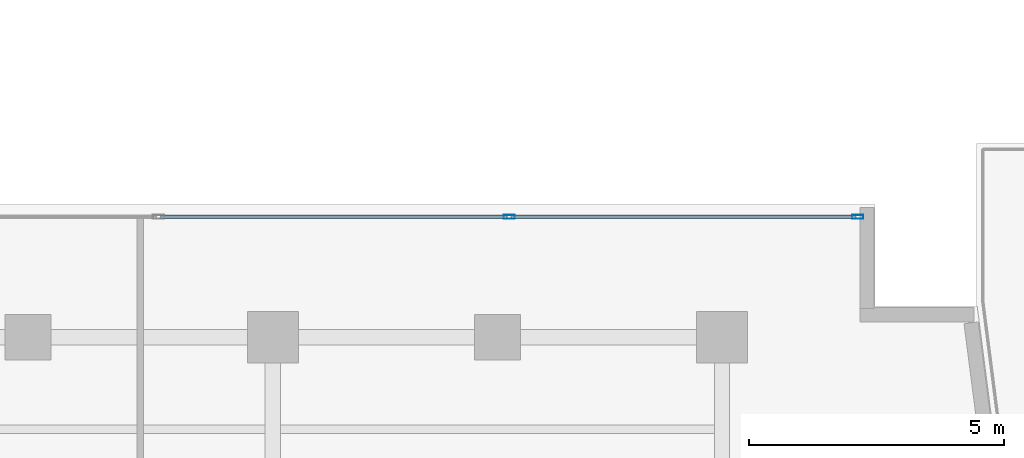
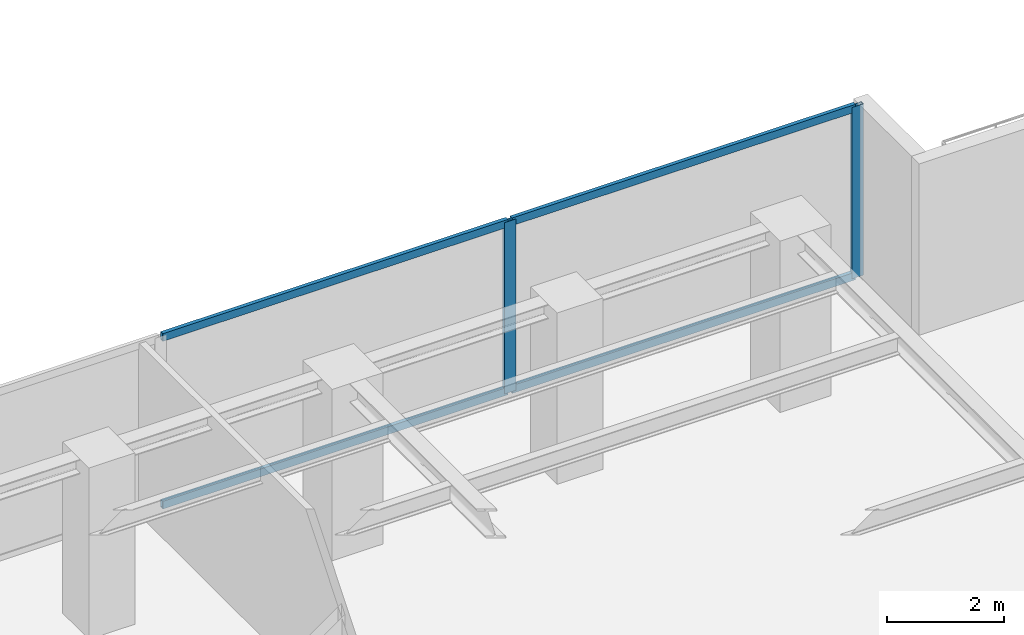
# One storey, part 12 of 25: 6 members, 1 element without a shape of its own.
"""IFC4 building model written with IfcOpenShell, lengths in metres."""

import ifcopenshell
import ifcopenshell.guid

model = None  # the IFC model being written
_history = None  # IfcOwnerHistory: only IFC2X3 demands one
_inside = {}  # id of a spatial element -> (the spatial element, [elements in it])
_under = {}  # id of a project, library or spatial element -> (it, [spatial elements below it])
_declared = {}  # id of a project -> (the project, [libraries it declares])
_typed = {}  # id of a type object -> (the type object, [elements of that type])
_made_of = {}  # id of a material, layer set ... -> (it, [elements and type objects made of it])


def new_model(schema):
    """Start an empty IFC model of exactly this schema.

    Asked for "IFC4X3", IfcOpenShell would pick the latest addendum, in which some entities
    have other attributes; the version numbers below select the first issue.
    IFC2X3 requires an IfcOwnerHistory on every rooted entity: one is made here for all.
    """
    global model, _history
    if schema == "IFC4X3":
        model = ifcopenshell.file(schema_version=(4, 3, 0, 0))
    else:
        model = ifcopenshell.file(schema=schema)
    _inside.clear()
    _under.clear()
    _declared.clear()
    _typed.clear()
    _made_of.clear()
    _history = None
    if model.schema == "IFC2X3":
        org = make("IfcOrganization", Name="unknown")
        user = make(
            "IfcPersonAndOrganization",
            ThePerson=make("IfcPerson", FamilyName="unknown"),
            TheOrganization=org,
        )
        app = make(
            "IfcApplication",
            ApplicationDeveloper=org,
            Version="unknown",
            ApplicationFullName="unknown",
            ApplicationIdentifier="unknown",
        )
        _history = make(
            "IfcOwnerHistory",
            OwningUser=user,
            OwningApplication=app,
            ChangeAction="ADDED",
            CreationDate=0,
        )
    return model


def make(cls, **values):
    """One entity of the class cls with the attributes given. An attribute that is None is left unset."""
    return model.create_entity(
        cls, **{name: value for name, value in values.items() if value is not None}
    )


def rooted(cls, **values):
    """An entity with a GlobalId (a new one), such as an element, a storey or a relation."""
    return make(cls, GlobalId=ifcopenshell.guid.new(), OwnerHistory=_history, **values)


def si_unit(unit_type, name, prefix=None):
    """IfcSIUnit, for example si_unit("LENGTHUNIT", "METRE", prefix="MILLI")."""
    return make("IfcSIUnit", UnitType=unit_type, Prefix=prefix, Name=name)


def assignment(units):
    """IfcUnitAssignment: the units of a project."""
    return None if units is None else make("IfcUnitAssignment", Units=units)


def point(xyz):
    """IfcCartesianPoint."""
    return None if xyz is None else make("IfcCartesianPoint", Coordinates=xyz)


def direction(xyz):
    """IfcDirection."""
    return None if xyz is None else make("IfcDirection", DirectionRatios=xyz)


def frame(location, z_axis=None, x_axis=None):
    """IfcAxis2Placement3D, a coordinate frame: its origin and axes. An axis left out is left unset."""
    return make(
        "IfcAxis2Placement3D",
        Location=point(location),
        Axis=direction(z_axis),
        RefDirection=direction(x_axis),
    )


def frame_2d(location, x_axis=None):
    """IfcAxis2Placement2D, a coordinate frame in the plane: its origin and x axis."""
    return make(
        "IfcAxis2Placement2D", Location=point(location), RefDirection=direction(x_axis)
    )


def origin():
    """The frame at (0, 0, 0) with its axes left unset."""
    return frame((0.0, 0.0, 0.0))


def origin_with_axes():
    """The frame at (0, 0, 0) with the z axis (0, 0, 1) and the x axis (1, 0, 0) written out."""
    return frame((0.0, 0.0, 0.0), z_axis=(0.0, 0.0, 1.0), x_axis=(1.0, 0.0, 0.0))


def origin_2d():
    """The frame at (0, 0) in the plane with its x axis left unset."""
    return frame_2d((0.0, 0.0))


def place(relative_to, where):
    """IfcLocalPlacement: puts the frame where relative to a parent placement (None: the world)."""
    return make(
        "IfcLocalPlacement", PlacementRelTo=relative_to, RelativePlacement=where
    )


def context(
    kind, dimensions, precision=None, world=None, true_north=None, identifier=None
):
    """IfcGeometricRepresentationContext, for example the 3D "Model" context."""
    return make(
        "IfcGeometricRepresentationContext",
        ContextIdentifier=identifier,
        ContextType=kind,
        CoordinateSpaceDimension=dimensions,
        Precision=precision,
        WorldCoordinateSystem=world,
        TrueNorth=true_north,
    )


def subcontext(parent, identifier, kind, view, scale=None):
    """IfcGeometricRepresentationSubContext, for example "Body" below "Model"."""
    return make(
        "IfcGeometricRepresentationSubContext",
        ContextIdentifier=identifier,
        ContextType=kind,
        ParentContext=parent,
        TargetScale=scale,
        TargetView=view,
    )


def project(units=None, contexts=None):
    """IfcProject with its units and contexts."""
    return rooted(
        "IfcProject",
        Name="project",
        RepresentationContexts=contexts,
        UnitsInContext=assignment(units),
    )


def spatial(cls, under=None, at=None, **own):
    """A site, building, storey or space (cls), placed at a placement, below another one or the project."""
    s = rooted(cls, ObjectPlacement=at, **own)
    if under is not None:
        _under.setdefault(under.id(), (under, []))[1].append(s)
    return s


def profile(cls, at=None, kind="AREA", **sizes):
    """A parametric profile (cls). Its sizes go by their IFC names, for example OverallWidth=200.0."""
    return make(cls, ProfileType=kind, Position=at, **sizes)


def hollow_rectangle(**sizes):
    """IfcRectangleHollowProfileDef."""
    return profile("IfcRectangleHollowProfileDef", **sizes)


def extrude(swept, where, along, depth):
    """IfcExtrudedAreaSolid: the profile swept, set in the frame where, extruded along a direction by depth."""
    return make(
        "IfcExtrudedAreaSolid",
        SweptArea=swept,
        Position=where,
        ExtrudedDirection=direction(along),
        Depth=depth,
    )


def shape(context_of_items, identifier, shape_type, items):
    """IfcShapeRepresentation: the items that make up one representation, for example the "Body"."""
    return make(
        "IfcShapeRepresentation",
        ContextOfItems=context_of_items,
        RepresentationIdentifier=identifier,
        RepresentationType=shape_type,
        Items=items,
    )


def source(mapping_origin, context_of_items, identifier, shape_type, items):
    """IfcRepresentationMap: a shape defined once, which mapped items show again and again."""
    return make(
        "IfcRepresentationMap",
        MappingOrigin=mapping_origin,
        MappedRepresentation=shape(context_of_items, identifier, shape_type, items),
    )


def transform(
    local_origin,
    x_axis=None,
    y_axis=None,
    z_axis=None,
    scale=None,
    scale2=None,
    scale3=None,
    uniform=True,
):
    """IfcCartesianTransformationOperator3D, or its non-uniform kind. x_axis, y_axis, z_axis: its Axis1, 2, 3."""
    if uniform:
        return make(
            "IfcCartesianTransformationOperator3D",
            Axis1=direction(x_axis),
            Axis2=direction(y_axis),
            LocalOrigin=point(local_origin),
            Scale=scale,
            Axis3=direction(z_axis),
        )
    return make(
        "IfcCartesianTransformationOperator3DnonUniform",
        Axis1=direction(x_axis),
        Axis2=direction(y_axis),
        LocalOrigin=point(local_origin),
        Scale=scale,
        Axis3=direction(z_axis),
        Scale2=scale2,
        Scale3=scale3,
    )


def mapped(mapping_source, mapping_target):
    """IfcMappedItem: shows the shape of a source again, moved by a transform."""
    return make(
        "IfcMappedItem", MappingSource=mapping_source, MappingTarget=mapping_target
    )


def material(Name=None, Category=None):
    """IfcMaterial."""
    return make("IfcMaterial", Name=Name, Category=Category)


def layer(
    of_material, thickness, ventilated=None, Name=None, Category=None, Priority=None
):
    """IfcMaterialLayer: one layer of a wall or slab, of a material (None: an air gap)."""
    return make(
        "IfcMaterialLayer",
        Material=of_material,
        LayerThickness=thickness,
        IsVentilated=ventilated,
        Name=Name,
        Category=Category,
        Priority=Priority,
    )


def layer_set(layers, Name=None):
    """IfcMaterialLayerSet."""
    return make("IfcMaterialLayerSet", MaterialLayers=layers, LayerSetName=Name)


def material_profile(
    of_material, cross_section, Name=None, Category=None, Priority=None
):
    """IfcMaterialProfile: a cross section and its material."""
    return make(
        "IfcMaterialProfile",
        Name=Name,
        Material=of_material,
        Profile=cross_section,
        Priority=Priority,
        Category=Category,
    )


def profile_set(profiles, Name=None, composite=None):
    """IfcMaterialProfileSet."""
    return make(
        "IfcMaterialProfileSet",
        Name=Name,
        MaterialProfiles=profiles,
        CompositeProfile=composite,
    )


def made_of(thing, what):
    """Note that an element or type object is made of a material, layer set ...; save() writes the relation."""
    if what is not None:
        _made_of.setdefault(what.id(), (what, []))[1].append(thing)
    return thing


def type_object(cls, material=None, **own):
    """A type object (cls), such as IfcWallType, which elements share."""
    return made_of(rooted(cls, **own), material)


def element(
    cls,
    number,
    at=None,
    inside=None,
    cuts=None,
    type_object=None,
    material=None,
    context=None,
    identifier="Body",
    shape_type=None,
    held_by="IfcProductDefinitionShape",
    body=None,
    shapes=None,
    **own,
):
    """One element of the class cls, such as IfcWall. Its Tag is "e" and its number.

    at: its placement. inside: the storey or other place that contains it. cuts: it is an
    opening in that element (IfcRelVoidsElement). A single representation is given by context,
    identifier, shape_type and body (its items); several are given by shapes. held_by: the class
    of the entity that holds the representations. save() writes the other relations.
    """
    e = rooted(cls, Tag="e%d" % number, ObjectPlacement=at, **own)
    if body is not None:
        shapes = [shape(context, identifier, shape_type, body)]
    if shapes is not None:
        e.Representation = make(held_by, Representations=shapes)
    if inside is not None:
        _inside.setdefault(inside.id(), (inside, []))[1].append(e)
    if cuts is not None:
        rooted(
            "IfcRelVoidsElement", RelatingBuildingElement=cuts, RelatedOpeningElement=e
        )
    if type_object is not None:
        _typed.setdefault(type_object.id(), (type_object, []))[1].append(e)
    return made_of(e, material)


def aggregate(whole, parts):
    """IfcRelAggregates: a whole, such as a stair, and the parts it consists of."""
    return rooted("IfcRelAggregates", RelatingObject=whole, RelatedObjects=parts)


def save(model, path):
    """Write the relations noted so far, then the file.

    IfcRelAggregates (storeys below a building ...), IfcRelContainedInSpatialStructure (elements
    in a storey), IfcRelDefinesByType, IfcRelAssociatesMaterial and IfcRelDeclares: one each for
    every whole, place, type object, material and project.
    """
    for whole, parts in _under.values():
        aggregate(whole, parts)
    for where, things in _inside.values():
        rooted(
            "IfcRelContainedInSpatialStructure",
            RelatedElements=things,
            RelatingStructure=where,
        )
    for kind, things in _typed.values():
        rooted("IfcRelDefinesByType", RelatedObjects=things, RelatingType=kind)
    for what, things in _made_of.values():
        rooted("IfcRelAssociatesMaterial", RelatedObjects=things, RelatingMaterial=what)
    for by, libraries in _declared.values():
        rooted("IfcRelDeclares", RelatingContext=by, RelatedDefinitions=libraries)
    model.write(path)


model = new_model("IFC4")

# Units and contexts
model_context = context("Model", 3, precision=1e-05, world=origin(), true_north=direction((0.0, 1.0)))
body_context = subcontext(model_context, "Body", "Model", "MODEL_VIEW")
ifc_project = project(units=[si_unit("LENGTHUNIT", "METRE"), si_unit("AREAUNIT", "SQUARE_METRE"), si_unit("VOLUMEUNIT", "CUBIC_METRE"), si_unit("PLANEANGLEUNIT", "RADIAN"), si_unit("MASSUNIT", "GRAM", prefix="KILO")], contexts=[model_context])

# Site, building, storey
site_placement = place(None, origin())
site = spatial("IfcSite", under=ifc_project, at=site_placement, CompositionType="ELEMENT")
building_placement = place(site_placement, origin())
building = spatial("IfcBuilding", under=site, at=building_placement, Name="Kolvaren Waterfront Exchange", CompositionType="ELEMENT")
storey_placement = place(building_placement, frame((0.0, 0.0, 204.5)))
storey = spatial("IfcBuildingStorey", under=building, at=storey_placement, Name="L52", CompositionType="ELEMENT", Elevation=204.5)

# Curtain wall, members
ifc_material_1 = material(Name="Anodised bronze aluminium 6063-T6", Category="aluminium")
ifc_layer = layer(ifc_material_1, 0.219970703125, Name="Anodised bronze aluminium 6063-T6")
ifc_layer_set = layer_set([ifc_layer], Name="Anodised bronze aluminium 6063-T6")
curtain_wall_type = type_object("IfcCurtainWallType", Name="ARC-CW-SYS1", PredefinedType="USERDEFINED", material=ifc_layer_set)
curtain_wall_placement = place(storey_placement, origin())
curtain_wall = element("IfcCurtainWall", 1, at=curtain_wall_placement, inside=storey, type_object=curtain_wall_type, Name="L52 stick curtain wall CW1 (CW-L52-EN)", ObjectType="STICK CURTAIN WALL", PredefinedType="USERDEFINED")
ifc_material_2 = material(Name="Anodised aluminium 6063-T6", Category="aluminium")
ifc_material_profile_1 = material_profile(ifc_material_2, hollow_rectangle(XDim=0.080078125, YDim=0.219970703125, WallThickness=0.0048828125, at=origin_2d()), Name="ALU-MUL-220x80x5")
ifc_profile_set_1 = profile_set([ifc_material_profile_1], Name="Anodised aluminium 6063-T6")
member_type_1 = type_object("IfcMemberType", Name="ARC-CWM-220", PredefinedType="MULLION", material=ifc_profile_set_1)
shared_shape_1 = source(origin_with_axes(), body_context, "Body", "SweptSolid", [
    extrude(hollow_rectangle(XDim=0.080078125, YDim=0.219970703125, WallThickness=0.0048828125, at=origin_2d()), origin(), (0.0, 0.0, 1.0), 3.56005859375),
])
member_1_placement = place(storey_placement, frame((41.429931640625, 19.760009765625, 0.0), z_axis=(0.0, 0.0, 1.0), x_axis=(0.0, 1.0, 0.0)))
member_1 = element("IfcMember", 2, at=member_1_placement, type_object=member_type_1, Name="CW1 mullion 3", PredefinedType="MULLION", context=body_context, shape_type="MappedRepresentation", body=[
    mapped(shared_shape_1, transform((0.0, 0.0, 0.0), x_axis=(1.0, 0.0, 0.0), y_axis=(0.0, 1.0, 0.0), z_axis=(0.0, 0.0, 1.0), scale=1.0)),
])
member_2_placement = place(storey_placement, frame((48.260009765625, 19.760009765625, 0.0), z_axis=(0.0, 0.0, 1.0), x_axis=(0.0, 1.0, 0.0)))
member_2 = element("IfcMember", 3, at=member_2_placement, type_object=member_type_1, Name="CW1 mullion 4", PredefinedType="MULLION", context=body_context, shape_type="MappedRepresentation", body=[
    mapped(shared_shape_1, transform((0.0, 0.0, 0.0), x_axis=(1.0, 0.0, 0.0), y_axis=(0.0, 1.0, 0.0), z_axis=(0.0, 0.0, 1.0), scale=1.0)),
])
ifc_material_profile_2 = material_profile(ifc_material_2, hollow_rectangle(XDim=0.074951171875, YDim=0.159912109375, WallThickness=0.00439453125, at=origin_2d()), Name="ALU-TRN-160x75x4.5")
ifc_profile_set_2 = profile_set([ifc_material_profile_2], Name="Anodised aluminium 6063-T6")
member_type_2 = type_object("IfcMemberType", Name="ARC-CWT-160", PredefinedType="USERDEFINED", material=ifc_profile_set_2)
shared_shape_2 = source(origin_with_axes(), body_context, "Body", "SweptSolid", [
    extrude(hollow_rectangle(XDim=0.074951171875, YDim=0.159912109375, WallThickness=0.00439453125, at=origin_2d()), origin(), (0.0, 0.0, 1.0), 6.75),
])
member_3_placement = place(storey_placement, frame((41.469970703125, 19.760009765625, 0.03759765625), z_axis=(1.0, 0.0, 0.0), x_axis=(0.0, 1.0, 0.0)))
member_3 = element("IfcMember", 4, at=member_3_placement, type_object=member_type_2, Name="CW1 transom 3.1", ObjectType="TRANSOM", PredefinedType="USERDEFINED", context=body_context, shape_type="MappedRepresentation", body=[
    mapped(shared_shape_2, transform((0.0, 0.0, 0.0), x_axis=(1.0, 0.0, 0.0), y_axis=(0.0, 1.0, 0.0), z_axis=(0.0, 0.0, 1.0), scale=1.0)),
])
member_4_placement = place(storey_placement, frame((41.469970703125, 19.760009765625, 3.5224609375), z_axis=(1.0, 0.0, 0.0), x_axis=(0.0, 1.0, 0.0)))
member_4 = element("IfcMember", 5, at=member_4_placement, type_object=member_type_2, Name="CW1 transom 3.2", ObjectType="TRANSOM", PredefinedType="USERDEFINED", context=body_context, shape_type="MappedRepresentation", body=[
    mapped(shared_shape_2, transform((0.0, 0.0, 0.0), x_axis=(1.0, 0.0, 0.0), y_axis=(0.0, 1.0, 0.0), z_axis=(0.0, 0.0, 1.0), scale=1.0)),
])
shared_shape_3 = source(origin_with_axes(), body_context, "Body", "SweptSolid", [
    extrude(hollow_rectangle(XDim=0.074951171875, YDim=0.159912109375, WallThickness=0.00439453125, at=origin_2d()), origin(), (0.0, 0.0, 1.0), 6.789794921875),
])
member_5_placement = place(storey_placement, frame((34.60009765625, 19.760009765625, 0.03759765625), z_axis=(1.0, 0.0, 0.0), x_axis=(0.0, 1.0, 0.0)))
member_5 = element("IfcMember", 6, at=member_5_placement, type_object=member_type_2, Name="CW1 transom 2.1", ObjectType="TRANSOM", PredefinedType="USERDEFINED", context=body_context, shape_type="MappedRepresentation", body=[
    mapped(shared_shape_3, transform((0.0, 0.0, 0.0), x_axis=(1.0, 0.0, 0.0), y_axis=(0.0, 1.0, 0.0), z_axis=(0.0, 0.0, 1.0), scale=1.0)),
])
member_6_placement = place(storey_placement, frame((34.60009765625, 19.760009765625, 3.5224609375), z_axis=(1.0, 0.0, 0.0), x_axis=(0.0, 1.0, 0.0)))
member_6 = element("IfcMember", 7, at=member_6_placement, type_object=member_type_2, Name="CW1 transom 2.2", ObjectType="TRANSOM", PredefinedType="USERDEFINED", context=body_context, shape_type="MappedRepresentation", body=[
    mapped(shared_shape_3, transform((0.0, 0.0, 0.0), x_axis=(1.0, 0.0, 0.0), y_axis=(0.0, 1.0, 0.0), z_axis=(0.0, 0.0, 1.0), scale=1.0)),
])
aggregate(curtain_wall, [member_1, member_2, member_5, member_6, member_3, member_4])

save(model, "model.ifc")
